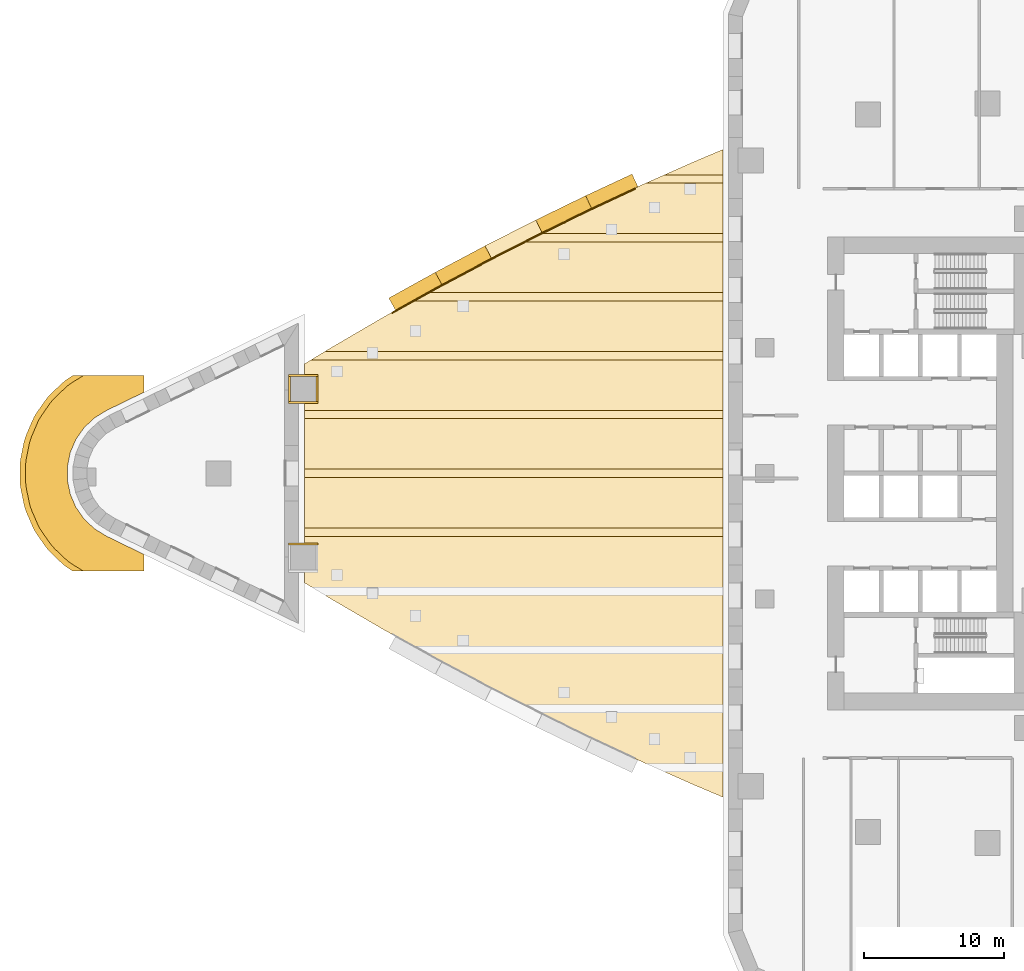
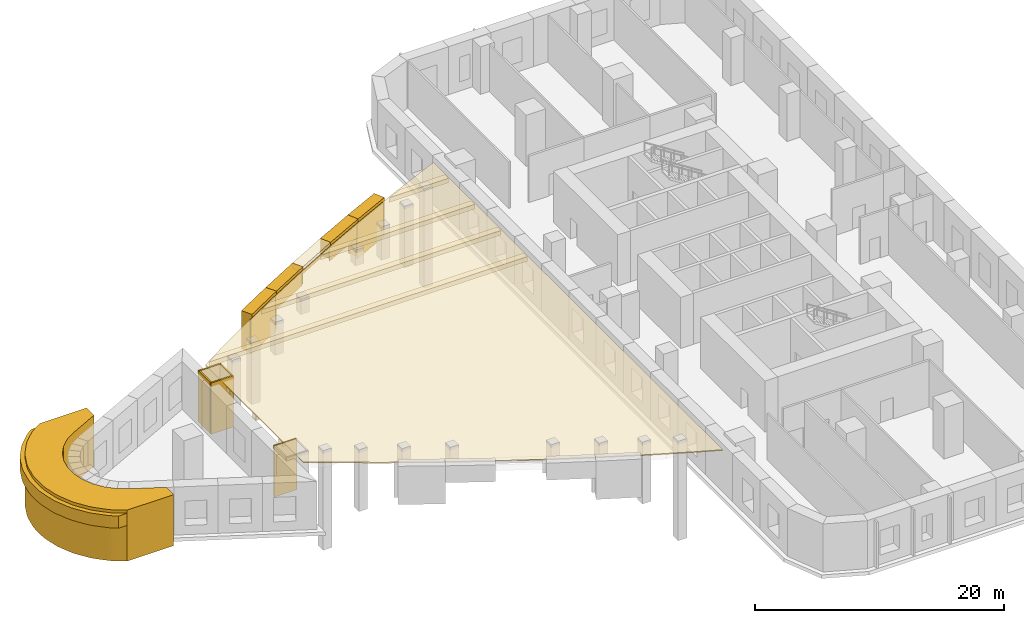
# One storey, part 9 of 11: 25 coverings.
"""IFC4 building model written with IfcOpenShell, lengths in metres."""

from ifc_helpers import new_model, si_unit, direction, frame, frame_2d, origin, place, context, subcontext, project, spatial, polyline, rectangle, outline, extrude, material, layer, layer_set, type_object, element, save


model = new_model("IFC4")

# Units and contexts
model_context = context("Model", 3, precision=1e-05, world=origin(), true_north=direction((0.0, 1.0)))
body_context = subcontext(model_context, "Body", "Model", "MODEL_VIEW")
ifc_project = project(units=[si_unit("LENGTHUNIT", "METRE"), si_unit("AREAUNIT", "SQUARE_METRE"), si_unit("VOLUMEUNIT", "CUBIC_METRE"), si_unit("PLANEANGLEUNIT", "RADIAN"), si_unit("MASSUNIT", "GRAM", prefix="KILO")], contexts=[model_context])

# Site, building, storey
site_placement = place(None, origin())
site = spatial("IfcSite", under=ifc_project, at=site_placement, CompositionType="ELEMENT")
building_placement = place(site_placement, origin())
building = spatial("IfcBuilding", under=site, at=building_placement, Name="Ostrand Prow Hotel Tower", CompositionType="ELEMENT")
storey_placement = place(building_placement, frame((0.0, 0.0, 24.0)))
storey = spatial("IfcBuildingStorey", under=building, at=storey_placement, Name="L04", CompositionType="ELEMENT", Elevation=24.0)

# Coverings
ifc_material_1 = material(Name="Dark bronze anodised aluminium lining", Category="aluminium")
ifc_layer_1 = layer(ifc_material_1, 0.080078125)
ifc_layer_set_1 = layer_set([ifc_layer_1], Name="Dark bronze anodised aluminium lining")
covering_type_1 = type_object("IfcCoveringType", Name="Arch spandrel limestone cladding 80 mm", PredefinedType="CLADDING", material=ifc_layer_set_1)
covering_1_placement = place(storey_placement, frame((18.300048828125, 11.5048828125, 1.260986328125), z_axis=(0.0, 0.0, 1.0), x_axis=(0.874066386789, 0.485806495927, 0.0)))
element("IfcCovering", 1, at=covering_1_placement, inside=storey, type_object=covering_type_1, Name="Arch spandrel cladding N 6", PredefinedType="CLADDING", context=body_context, shape_type="SweptSolid", body=[
    extrude(rectangle(XDim=3.8017578125, YDim=0.080078125, at=frame_2d((1.90087890625, 0.0))), origin(), (0.0, 0.0, 1.0), 3.43896484375),
])
covering_2_placement = place(storey_placement, frame((21.623046875, 13.351806640625, 3.348388671875), z_axis=(0.0, 0.0, 1.0), x_axis=(0.882297632881, 0.470691923675, 0.0)))
element("IfcCovering", 2, at=covering_2_placement, inside=storey, type_object=covering_type_1, Name="Arch spandrel cladding N 7", PredefinedType="CLADDING", context=body_context, shape_type="SweptSolid", body=[
    extrude(rectangle(XDim=4.03271484375, YDim=0.080078125, at=frame_2d((2.016357421875, 0.0))), origin(), (0.0, 0.0, 1.0), 1.3515625),
])
covering_3_placement = place(storey_placement, frame((25.18115234375, 15.25, 4.41552734375), z_axis=(0.0, 0.0, 1.0), x_axis=(0.89056920711, 0.454847762826, 0.0)))
element("IfcCovering", 3, at=covering_3_placement, inside=storey, type_object=covering_type_1, Name="Arch spandrel cladding N 8", PredefinedType="CLADDING", context=body_context, shape_type="SweptSolid", body=[
    extrude(rectangle(XDim=4.084716796875, YDim=0.080078125, at=frame_2d((2.04248046875, 0.0))), origin(), (0.0, 0.0, 1.0), 0.284423828125),
])
covering_4_placement = place(storey_placement, frame((28.81884765625, 17.10791015625, 3.348388671875), z_axis=(0.0, 0.0, 1.0), x_axis=(0.898458944827, 0.439057541173, 0.0)))
element("IfcCovering", 4, at=covering_4_placement, inside=storey, type_object=covering_type_1, Name="Arch spandrel cladding N 9", PredefinedType="CLADDING", context=body_context, shape_type="SweptSolid", body=[
    extrude(rectangle(XDim=3.960205078125, YDim=0.080078125, at=frame_2d((1.97998046875, 0.0))), origin(), (0.0, 0.0, 1.0), 1.3515625),
])
covering_5_placement = place(storey_placement, frame((32.376953125, 18.8466796875, 1.260986328125), z_axis=(0.0, 0.0, 1.0), x_axis=(0.905692944526, 0.423934299433, 0.0)))
element("IfcCovering", 5, at=covering_5_placement, inside=storey, type_object=covering_type_1, Name="Arch spandrel cladding N 10", PredefinedType="CLADDING", context=body_context, shape_type="SweptSolid", body=[
    extrude(rectangle(XDim=3.6689453125, YDim=0.080078125, at=frame_2d((1.83447265625, 0.0))), origin(), (0.0, 0.0, 1.0), 3.43896484375),
])
ifc_material_2 = material(Name="Limestone cladding", Category="masonry")
ifc_layer_2 = layer(ifc_material_2, 0.14990234375)
ifc_layer_set_2 = layer_set([ifc_layer_2], Name="Limestone cladding")
covering_type_2 = type_object("IfcCoveringType", Name="Column stone sleeve 150 mm", PredefinedType="CLADDING", material=ifc_layer_set_2)
for number, where, z_axis, x_axis, name in (
    (6, (12.976318359375, -5.06689453125, 0.0), (0.0, 0.0, 1.0), (-1.0, 0.0, 0.0), "Column stone sleeve MC-S1 3"),
    (7, (10.87646484375, 5.06689453125, 0.0), (0.0, 0.0, 1.0), (1.0, 0.0, 0.0), "Column stone sleeve MC-N6 1"),
):
    element("IfcCovering", number, at=place(storey_placement, frame(where, z_axis=z_axis, x_axis=x_axis)), inside=storey, type_object=covering_type_2, Name=name, PredefinedType="CLADDING", context=body_context, shape_type="SweptSolid", body=[
        extrude(rectangle(XDim=2.099853515625, YDim=0.14990234375, at=frame_2d((1.0498046875, 0.0))), origin(), (0.0, 0.0, 1.0), 5.0),
    ])
covering_6_placement = place(storey_placement, frame((12.9013671875, 4.991943359375, 0.0), z_axis=(0.0, 0.0, 1.0), x_axis=(0.0, 1.0, 0.0)))
element("IfcCovering", 8, at=covering_6_placement, inside=storey, type_object=covering_type_2, Name="Column stone sleeve MC-N6 2", PredefinedType="CLADDING", context=body_context, shape_type="SweptSolid", body=[
    extrude(rectangle(XDim=2.10009765625, YDim=0.14990234375, at=frame_2d((1.050048828125, 0.0))), origin(), (0.0, 0.0, 1.0), 5.0),
])
covering_7_placement = place(storey_placement, frame((12.976318359375, 7.01708984375, 0.0), z_axis=(0.0, 0.0, 1.0), x_axis=(-1.0, 0.0, 0.0)))
element("IfcCovering", 9, at=covering_7_placement, inside=storey, type_object=covering_type_2, Name="Column stone sleeve MC-N6 3", PredefinedType="CLADDING", context=body_context, shape_type="SweptSolid", body=[
    extrude(rectangle(XDim=2.099853515625, YDim=0.14990234375, at=frame_2d((1.0498046875, 0.0))), origin(), (0.0, 0.0, 1.0), 5.0),
])
covering_8_placement = place(storey_placement, frame((10.951416015625, 7.092041015625, 0.0), z_axis=(0.0, 0.0, 1.0), x_axis=(0.0, -1.0, 0.0)))
element("IfcCovering", 10, at=covering_8_placement, inside=storey, type_object=covering_type_2, Name="Column stone sleeve MC-N6 4", PredefinedType="CLADDING", context=body_context, shape_type="SweptSolid", body=[
    extrude(rectangle(XDim=2.10009765625, YDim=0.14990234375, at=frame_2d((1.050048828125, 0.0))), origin(), (0.0, 0.0, 1.0), 5.0),
])
ifc_material_3 = material(Name="Limestone cladding", Category="masonry")
ifc_layer_3 = layer(ifc_material_3, 1.0)
ifc_layer_set_3 = layer_set([ifc_layer_3], Name="Limestone cladding")
covering_type_3 = type_object("IfcCoveringType", Name="Portal frame limestone 1000 mm", PredefinedType="CLADDING", material=ifc_layer_set_3)
covering_9_placement = place(storey_placement, frame((18.300048828125, 12.12548828125, 1.260986328125), z_axis=(0.0, 0.0, 1.0), x_axis=(0.874720527585, 0.484627690729, 0.0)))
element("IfcCovering", 11, at=covering_9_placement, inside=storey, type_object=covering_type_3, Name="Portal frame N 6", PredefinedType="CLADDING", context=body_context, shape_type="SweptSolid", body=[
    extrude(rectangle(XDim=3.798828125, YDim=1.0, at=frame_2d((1.8994140625, 0.0))), origin(), (0.0, 0.0, 1.0), 3.739013671875),
])
covering_10_placement = place(storey_placement, frame((21.623046875, 13.966552734375, 3.348388671875), z_axis=(0.0, 0.0, 1.0), x_axis=(0.882900711238, 0.469559723673, 0.0)))
element("IfcCovering", 12, at=covering_10_placement, inside=storey, type_object=covering_type_3, Name="Portal frame N 7", PredefinedType="CLADDING", context=body_context, shape_type="SweptSolid", body=[
    extrude(rectangle(XDim=4.030029296875, YDim=1.0, at=frame_2d((2.01513671875, 0.0))), origin(), (0.0, 0.0, 1.0), 1.651611328125),
])
covering_11_placement = place(storey_placement, frame((25.18115234375, 15.85888671875, 4.41552734375), z_axis=(0.0, 0.0, 1.0), x_axis=(0.891125742956, 0.453756443746, 0.0)))
element("IfcCovering", 13, at=covering_11_placement, inside=storey, type_object=covering_type_3, Name="Portal frame N 8", PredefinedType="CLADDING", context=body_context, shape_type="SweptSolid", body=[
    extrude(rectangle(XDim=4.08203125, YDim=1.0, at=frame_2d((2.041015625, 0.0))), origin(), (0.0, 0.0, 1.0), 0.58447265625),
])
covering_12_placement = place(storey_placement, frame((28.81884765625, 17.711181640625, 3.348388671875), z_axis=(0.0, 0.0, 1.0), x_axis=(0.898945028747, 0.4380614515, 0.0)))
element("IfcCovering", 14, at=covering_12_placement, inside=storey, type_object=covering_type_3, Name="Portal frame N 9", PredefinedType="CLADDING", context=body_context, shape_type="SweptSolid", body=[
    extrude(rectangle(XDim=3.9580078125, YDim=1.0, at=frame_2d((1.97900390625, 0.0))), origin(), (0.0, 0.0, 1.0), 1.651611328125),
])
covering_13_placement = place(storey_placement, frame((32.376953125, 19.445068359375, 1.260986328125), z_axis=(0.0, 0.0, 1.0), x_axis=(0.906152522833, 0.422951067339, 0.0)))
element("IfcCovering", 15, at=covering_13_placement, inside=storey, type_object=covering_type_3, Name="Portal frame N 10", PredefinedType="CLADDING", context=body_context, shape_type="SweptSolid", body=[
    extrude(rectangle(XDim=3.667236328125, YDim=1.0, at=frame_2d((1.83349609375, 0.0))), origin(), (0.0, 0.0, 1.0), 3.739013671875),
])
ifc_material_4 = material(Name="Bronze anodised aluminium cladding", Category="aluminium")
ifc_layer_4 = layer(ifc_material_4, 0.39990234375)
ifc_layer_set_4 = layer_set([ifc_layer_4], Name="Bronze anodised aluminium cladding")
covering_type_4 = type_object("IfcCoveringType", Name="Prow nose bronze band", PredefinedType="CLADDING", material=ifc_layer_set_4)
covering_14_placement = place(storey_placement, frame((0.0, 0.0, 3.5)))
element("IfcCovering", 16, at=covering_14_placement, inside=storey, type_object=covering_type_4, Name="Prow nose band L04", PredefinedType="CLADDING", context=body_context, shape_type="SweptSolid", body=[
    extrude(outline(polyline([(-4.8447265625, -6.849365234375), (-4.601806640625, -7.0), (-3.843017578125, -7.0), (-4.6337890625, -6.509521484375), (-4.88427734375, -6.3359375), (-5.11572265625, -6.137939453125), (-5.851806640625, -5.44091796875), (-6.06201171875, -5.220458984375), (-6.248779296875, -4.979736328125), (-6.8291015625, -4.1484375), (-6.990478515625, -3.89013671875), (-7.125, -3.616943359375), (-7.525390625, -2.685546875), (-7.631591796875, -2.39990234375), (-7.7080078125, -2.105224609375), (-7.91259765625, -1.112060546875), (-7.958740234375, -0.81103515625), (-7.97412109375, -0.5068359375), (-7.97412109375, 0.5068359375), (-7.958740234375, 0.81103515625), (-7.91259765625, 1.112060546875), (-7.7080078125, 2.105224609375), (-7.631591796875, 2.39990234375), (-7.525390625, 2.685546875), (-7.125, 3.616943359375), (-6.990478515625, 3.89013671875), (-6.8291015625, 4.1484375), (-6.248779296875, 4.979736328125), (-6.06201171875, 5.220458984375), (-5.851806640625, 5.44091796875), (-5.11572265625, 6.137939453125), (-4.88427734375, 6.3359375), (-4.6337890625, 6.509521484375), (-3.843017578125, 7.0), (-4.601806640625, 7.0), (-4.8447265625, 6.849365234375), (-5.12841796875, 6.65283203125), (-5.390625, 6.428466796875), (-6.126708984375, 5.731201171875), (-6.364990234375, 5.4814453125), (-6.57666015625, 5.208740234375), (-7.156982421875, 4.37744140625), (-7.340087890625, 4.084716796875), (-7.4921875, 3.77490234375), (-7.89306640625, 2.843505859375), (-8.01318359375, 2.52001953125), (-8.099853515625, 2.185791015625), (-8.30419921875, 1.19287109375), (-8.356689453125, 0.851806640625), (-8.374267578125, 0.5068359375), (-8.374267578125, -0.5068359375), (-8.356689453125, -0.851806640625), (-8.30419921875, -1.19287109375), (-8.099853515625, -2.185791015625), (-8.01318359375, -2.52001953125), (-7.89306640625, -2.843505859375), (-7.4921875, -3.77490234375), (-7.340087890625, -4.084716796875), (-7.156982421875, -4.37744140625), (-6.57666015625, -5.208740234375), (-6.364990234375, -5.4814453125), (-6.126708984375, -5.731201171875), (-5.390625, -6.428466796875), (-5.12841796875, -6.65283203125), (-4.8447265625, -6.849365234375)])), origin(), (0.0, 0.0, 1.0), 1.199951171875),
])
ifc_material_5 = material(Name="Limestone cladding", Category="masonry")
ifc_layer_5 = layer(ifc_material_5, 3.0)
ifc_layer_set_5 = layer_set([ifc_layer_5], Name="Limestone cladding")
covering_type_5 = type_object("IfcCoveringType", Name="Prow nose pier limestone", PredefinedType="CLADDING", material=ifc_layer_set_5)
covering_15_placement = place(storey_placement, origin())
element("IfcCovering", 17, at=covering_15_placement, inside=storey, type_object=covering_type_5, Name="Prow nose pier L04", PredefinedType="CLADDING", context=body_context, shape_type="SweptSolid", body=[
    extrude(outline(polyline([(-4.6337890625, -6.509521484375), (-3.843017578125, -7.0), (0.5, -7.0), (0.5, -5.80615234375), (-2.19091796875, -4.494384765625), (-3.052490234375, -3.9599609375), (-3.788818359375, -3.2626953125), (-4.368896484375, -2.431396484375), (-4.769775390625, -1.5), (-4.97412109375, -0.5068359375), (-4.97412109375, 0.5068359375), (-4.769775390625, 1.5), (-4.368896484375, 2.431396484375), (-3.788818359375, 3.2626953125), (-3.052490234375, 3.9599609375), (-2.19091796875, 4.494384765625), (0.5, 5.80615234375), (0.5, 7.0), (-3.843017578125, 7.0), (-4.6337890625, 6.509521484375), (-4.88427734375, 6.3359375), (-5.11572265625, 6.137939453125), (-5.851806640625, 5.44091796875), (-6.06201171875, 5.220458984375), (-6.248779296875, 4.979736328125), (-6.8291015625, 4.1484375), (-6.990478515625, 3.89013671875), (-7.125, 3.616943359375), (-7.525390625, 2.685546875), (-7.631591796875, 2.39990234375), (-7.7080078125, 2.105224609375), (-7.91259765625, 1.112060546875), (-7.958740234375, 0.81103515625), (-7.97412109375, 0.5068359375), (-7.97412109375, -0.5068359375), (-7.958740234375, -0.81103515625), (-7.91259765625, -1.112060546875), (-7.7080078125, -2.105224609375), (-7.631591796875, -2.39990234375), (-7.525390625, -2.685546875), (-7.125, -3.616943359375), (-6.990478515625, -3.89013671875), (-6.8291015625, -4.1484375), (-6.248779296875, -4.979736328125), (-6.06201171875, -5.220458984375), (-5.851806640625, -5.44091796875), (-5.11572265625, -6.137939453125), (-4.88427734375, -6.3359375), (-4.6337890625, -6.509521484375)])), origin(), (0.0, 0.0, 1.0), 5.0),
])
ifc_material_6 = material(Name="Dark bronze anodised aluminium lining", Category="aluminium")
ifc_layer_6 = layer(ifc_material_6, 0.60009765625)
ifc_layer_set_6 = layer_set([ifc_layer_6], Name="Dark bronze anodised aluminium lining")
covering_type_6 = type_object("IfcCoveringType", Name="Soffit coffer rib limestone 600 mm", PredefinedType="CLADDING", material=ifc_layer_set_6)
covering_16_placement = place(storey_placement, frame((0.0, 0.0, 4.14990234375)))
element("IfcCovering", 18, at=covering_16_placement, inside=storey, type_object=covering_type_6, Name="Soffit coffer rib 5", PredefinedType="CLADDING", context=body_context, shape_type="SweptSolid", body=[
    extrude(outline(polyline([(12.0, -3.919677734375), (12.0, -4.51953125), (42.0, -4.51953125), (42.0, -3.919677734375), (12.0, -3.919677734375)])), origin(), (0.0, 0.0, 1.0), 0.4501953125),
])
covering_17_placement = place(storey_placement, frame((0.0, 0.0, 4.14990234375)))
element("IfcCovering", 19, at=covering_17_placement, inside=storey, type_object=covering_type_6, Name="Soffit coffer rib 6", PredefinedType="CLADDING", context=body_context, shape_type="SweptSolid", body=[
    extrude(outline(polyline([(12.0, 0.300048828125), (12.0, -0.300048828125), (42.0, -0.300048828125), (42.0, 0.300048828125), (12.0, 0.300048828125)])), origin(), (0.0, 0.0, 1.0), 0.4501953125),
])
covering_18_placement = place(storey_placement, frame((0.0, 0.0, 4.14990234375)))
element("IfcCovering", 20, at=covering_18_placement, inside=storey, type_object=covering_type_6, Name="Soffit coffer rib 7", PredefinedType="CLADDING", context=body_context, shape_type="SweptSolid", body=[
    extrude(outline(polyline([(12.0, 4.51953125), (12.0, 3.919677734375), (42.0, 3.919677734375), (42.0, 4.51953125), (12.0, 4.51953125)])), origin(), (0.0, 0.0, 1.0), 0.4501953125),
])
covering_19_placement = place(storey_placement, frame((0.0, 0.0, 4.14990234375)))
element("IfcCovering", 21, at=covering_19_placement, inside=storey, type_object=covering_type_6, Name="Soffit coffer rib 8", PredefinedType="CLADDING", context=body_context, shape_type="SweptSolid", body=[
    extrude(outline(polyline([(13.485595703125, 8.7392578125), (12.49951171875, 8.139404296875), (42.0, 8.139404296875), (42.0, 8.7392578125), (13.485595703125, 8.7392578125)])), origin(), (0.0, 0.0, 1.0), 0.4501953125),
])
covering_20_placement = place(storey_placement, frame((0.0, 0.0, 4.14990234375)))
element("IfcCovering", 22, at=covering_20_placement, inside=storey, type_object=covering_type_6, Name="Soffit coffer rib 9", PredefinedType="CLADDING", context=body_context, shape_type="SweptSolid", body=[
    extrude(outline(polyline([(20.830322265625, 12.958984375), (19.75732421875, 12.35888671875), (42.0, 12.35888671875), (42.0, 12.958984375), (20.830322265625, 12.958984375)])), origin(), (0.0, 0.0, 1.0), 0.4501953125),
])
covering_21_placement = place(storey_placement, frame((0.0, 0.0, 4.14990234375)))
element("IfcCovering", 23, at=covering_21_placement, inside=storey, type_object=covering_type_6, Name="Soffit coffer rib 10", PredefinedType="CLADDING", context=body_context, shape_type="SweptSolid", body=[
    extrude(outline(polyline([(28.681884765625, 17.083984375), (27.694091796875, 16.57861328125), (42.0, 16.57861328125), (42.0, 17.1787109375), (28.875, 17.1787109375), (28.681884765625, 17.083984375)])), origin(), (0.0, 0.0, 1.0), 0.4501953125),
])
covering_22_placement = place(storey_placement, frame((0.0, 0.0, 4.14990234375)))
element("IfcCovering", 24, at=covering_22_placement, inside=storey, type_object=covering_type_6, Name="Soffit coffer rib 11", PredefinedType="CLADDING", context=body_context, shape_type="SweptSolid", body=[
    extrude(outline(polyline([(37.828857421875, 21.398193359375), (36.477294921875, 20.798095703125), (42.0, 20.798095703125), (42.0, 21.398193359375), (37.828857421875, 21.398193359375)])), origin(), (0.0, 0.0, 1.0), 0.4501953125),
])
ifc_material_7 = material(Name="Dark bronze anodised aluminium lining", Category="aluminium")
ifc_layer_7 = layer(ifc_material_7, 0.10009765625)
ifc_layer_set_7 = layer_set([ifc_layer_7], Name="Dark bronze anodised aluminium lining")
covering_type_7 = type_object("IfcCoveringType", Name="Soffit limestone cladding 100 mm", PredefinedType="CLADDING", material=ifc_layer_set_7)
covering_23_placement = place(storey_placement, frame((0.0, 0.0, 4.60009765625)))
element("IfcCovering", 25, at=covering_23_placement, inside=storey, type_object=covering_type_7, Name="Soffit cladding 1", PredefinedType="CLADDING", context=body_context, shape_type="SweptSolid", body=[
    extrude(outline(polyline([(40.074951171875, -22.3955078125), (42.0, -23.2080078125), (42.0, 23.2080078125), (40.074951171875, 22.3955078125), (36.244873046875, 20.695068359375), (32.44677734375, 18.92431640625), (28.681884765625, 17.083984375), (24.951416015625, 15.1748046875), (21.2568359375, 13.197509765625), (17.59912109375, 11.152099609375), (13.97998046875, 9.0400390625), (12.0, 7.835205078125), (12.0, -7.835205078125), (13.97998046875, -9.0400390625), (17.59912109375, -11.152099609375), (21.2568359375, -13.197509765625), (24.951416015625, -15.1748046875), (28.681884765625, -17.083984375), (32.44677734375, -18.92431640625), (36.244873046875, -20.695068359375), (40.074951171875, -22.3955078125)])), origin(), (0.0, 0.0, 1.0), 0.099853515625),
])

save(model, "model.ifc")
